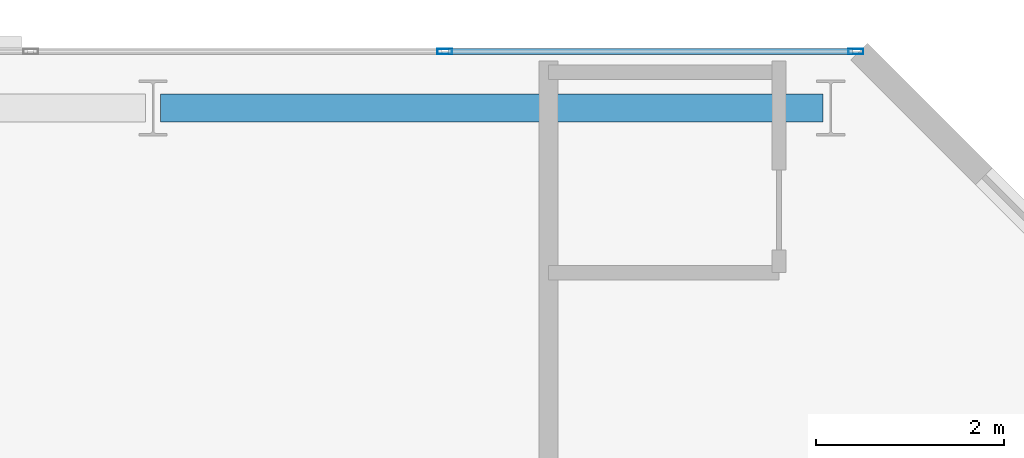
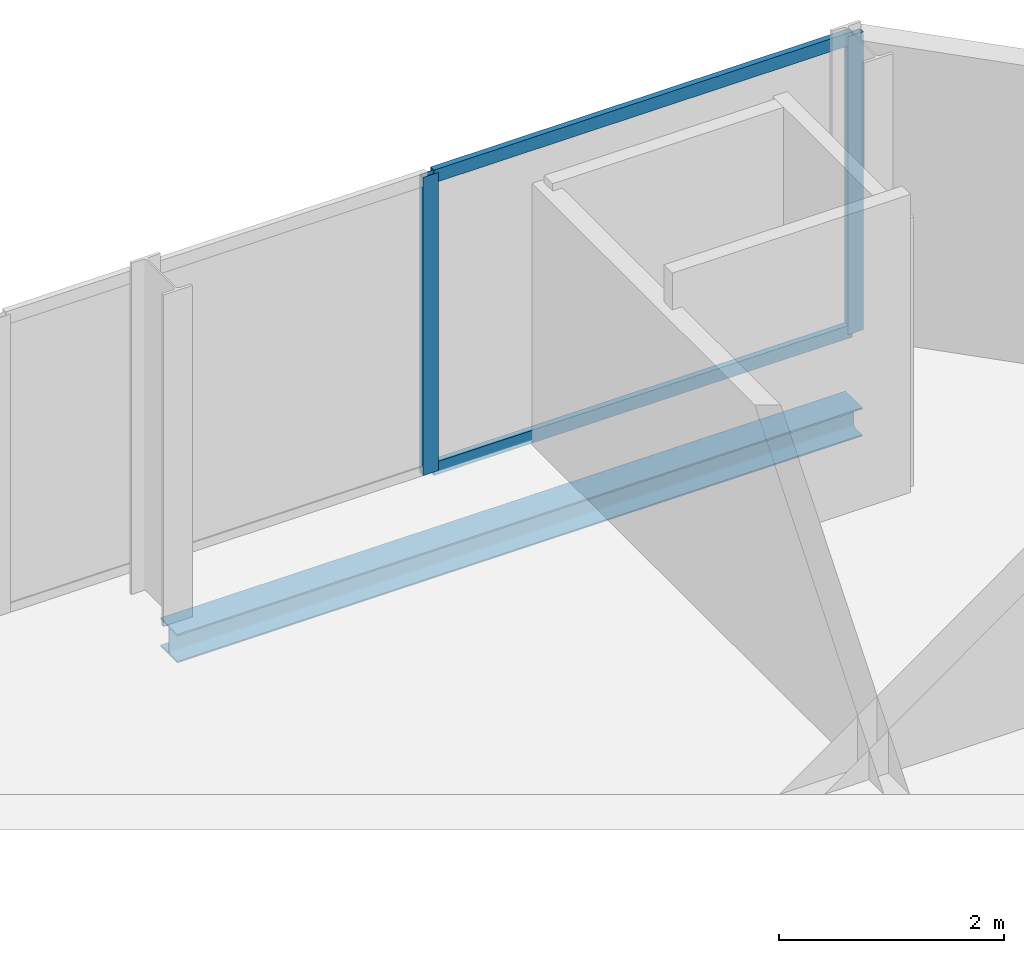
# One storey, part 25 of 32: 4 members, 1 beam, 1 element without a shape of its own.
"""IFC4 building model written with IfcOpenShell, lengths in metres."""

from ifc_helpers import new_model, si_unit, direction, frame, origin, origin_2d, place, context, subcontext, project, spatial, hollow_rectangle, i_section, extrude, material, layer, layer_set, material_profile, profile_set, type_object, element, aggregate, save


model = new_model("IFC4")

# Units and contexts
model_context = context("Model", 3, precision=1e-05, world=origin(), true_north=direction((0.0, 1.0)))
body_context = subcontext(model_context, "Body", "Model", "MODEL_VIEW")
ifc_project = project(units=[si_unit("LENGTHUNIT", "METRE"), si_unit("AREAUNIT", "SQUARE_METRE"), si_unit("VOLUMEUNIT", "CUBIC_METRE"), si_unit("PLANEANGLEUNIT", "RADIAN"), si_unit("MASSUNIT", "GRAM", prefix="KILO")], contexts=[model_context])

# Site, building, storey
site_placement = place(None, origin())
site = spatial("IfcSite", under=ifc_project, at=site_placement, CompositionType="ELEMENT")
building_placement = place(site_placement, origin())
building = spatial("IfcBuilding", under=site, at=building_placement, Name="Catumbela Crestline Tower", CompositionType="ELEMENT")
storey_placement = place(building_placement, frame((0.0, 0.0, 140.4)))
storey = spatial("IfcBuildingStorey", under=building, at=storey_placement, Name="L36", CompositionType="ELEMENT", Elevation=140.4)

# Curtain wall, members
ifc_material_1 = material(Name="Aluminium alloy AW-6060-T66", Category="aluminium")
ifc_layer = layer(ifc_material_1, 0.18, Name="Aluminium alloy AW-6060-T66")
ifc_layer_set = layer_set([ifc_layer], Name="Aluminium alloy AW-6060-T66")
curtain_wall_type = type_object("IfcCurtainWallType", Name="CWU-Z2", PredefinedType="USERDEFINED", material=ifc_layer_set)
curtain_wall_placement = place(storey_placement, origin())
curtain_wall = element("IfcCurtainWall", 1, at=curtain_wall_placement, inside=storey, type_object=curtain_wall_type, Name="L36 Unitised Curtain Wall CW-L36-E7S1", ObjectType="UNITISED", PredefinedType="USERDEFINED")
ifc_material_profile_1 = material_profile(ifc_material_1, hollow_rectangle(XDim=0.06, YDim=0.16, WallThickness=0.004, at=origin_2d()), Name="ALU 160x60x4")
ifc_profile_set_1 = profile_set([ifc_material_profile_1], Name="Aluminium alloy AW-6060-T66")
member_type_1 = type_object("IfcMemberType", Name="MUL-160X60", PredefinedType="MULLION", material=ifc_profile_set_1)
member_1_placement = place(storey_placement, frame((47.4675, 48.0, 0.0), z_axis=(0.0, 0.0, 1.0), x_axis=(0.0, -1.0, 0.0)))
member_1 = element("IfcMember", 2, at=member_1_placement, type_object=member_type_1, Name="CWU-Z2 mullion 1", PredefinedType="MULLION", context=body_context, shape_type="SweptSolid", body=[
    extrude(hollow_rectangle(XDim=0.06, YDim=0.16, WallThickness=0.004, at=origin_2d()), origin(), (0.0, 0.0, 1.0), 3.24),
])
member_2_placement = place(storey_placement, frame((43.1, 48.0, 0.0), z_axis=(0.0, 0.0, 1.0), x_axis=(0.0, -1.0, 0.0)))
member_2 = element("IfcMember", 3, at=member_2_placement, type_object=member_type_1, Name="CWU-Z2 mullion 2", PredefinedType="MULLION", context=body_context, shape_type="SweptSolid", body=[
    extrude(hollow_rectangle(XDim=0.06, YDim=0.16, WallThickness=0.004, at=origin_2d()), origin(), (0.0, 0.0, 1.0), 3.24),
])

# Beam
ifc_material_2 = material(Name="Structural steel S355J2", Category="steel")
ifc_material_profile_2 = material_profile(ifc_material_2, i_section(OverallWidth=0.3, OverallDepth=0.31, WebThickness=0.009, FlangeThickness=0.0155, FilletRadius=0.027, at=origin_2d()), Name="HEA 320")
ifc_profile_set_2 = profile_set([ifc_material_profile_2], Name="Structural steel S355J2")
beam_type = type_object("IfcBeamType", Name="BS-HEA320", PredefinedType="SPANDREL", material=ifc_profile_set_2)
beam_placement = place(storey_placement, frame((40.08, 47.4, -0.415), z_axis=(1.0, 0.0, 0.0), x_axis=(0.0, 1.0, 0.0)))
element("IfcBeam", 4, at=beam_placement, inside=storey, type_object=beam_type, Name="L36 Spandrel SP-L36-NF21", PredefinedType="SPANDREL", context=body_context, shape_type="SweptSolid", body=[
    extrude(i_section(OverallWidth=0.3, OverallDepth=0.31, WebThickness=0.009, FlangeThickness=0.0155, FilletRadius=0.027, at=origin_2d()), origin(), (0.0, 0.0, 1.0), 7.04),
])

# Member
ifc_material_profile_3 = material_profile(ifc_material_1, hollow_rectangle(XDim=0.06, YDim=0.14, WallThickness=0.004, at=origin_2d()), Name="ALU 140x60x4")
ifc_profile_set_3 = profile_set([ifc_material_profile_3], Name="Aluminium alloy AW-6060-T66")
member_type_2 = type_object("IfcMemberType", Name="TRN-140X60", PredefinedType="USERDEFINED", material=ifc_profile_set_3)
member_3_placement = place(storey_placement, frame((47.435, 48.0, 0.03), z_axis=(-1.0, 0.0, 0.0), x_axis=(0.0, -1.0, 0.0)))
member_3 = element("IfcMember", 5, at=member_3_placement, type_object=member_type_2, Name="CWU-Z2 transom 1.1", ObjectType="TRANSOM", PredefinedType="USERDEFINED", context=body_context, shape_type="SweptSolid", body=[
    extrude(hollow_rectangle(XDim=0.06, YDim=0.14, WallThickness=0.004, at=origin_2d()), origin(), (0.0, 0.0, 1.0), 4.3025),
])

member_4_placement = place(storey_placement, frame((47.435, 48.0, 3.21), z_axis=(-1.0, 0.0, 0.0), x_axis=(0.0, -1.0, 0.0)))
member_4 = element("IfcMember", 6, at=member_4_placement, type_object=member_type_2, Name="CWU-Z2 transom 1.2", ObjectType="TRANSOM", PredefinedType="USERDEFINED", context=body_context, shape_type="SweptSolid", body=[
    extrude(hollow_rectangle(XDim=0.06, YDim=0.14, WallThickness=0.004, at=origin_2d()), origin(), (0.0, 0.0, 1.0), 4.3025),
])

aggregate(curtain_wall, [member_1, member_2, member_3, member_4])

save(model, "model.ifc")
